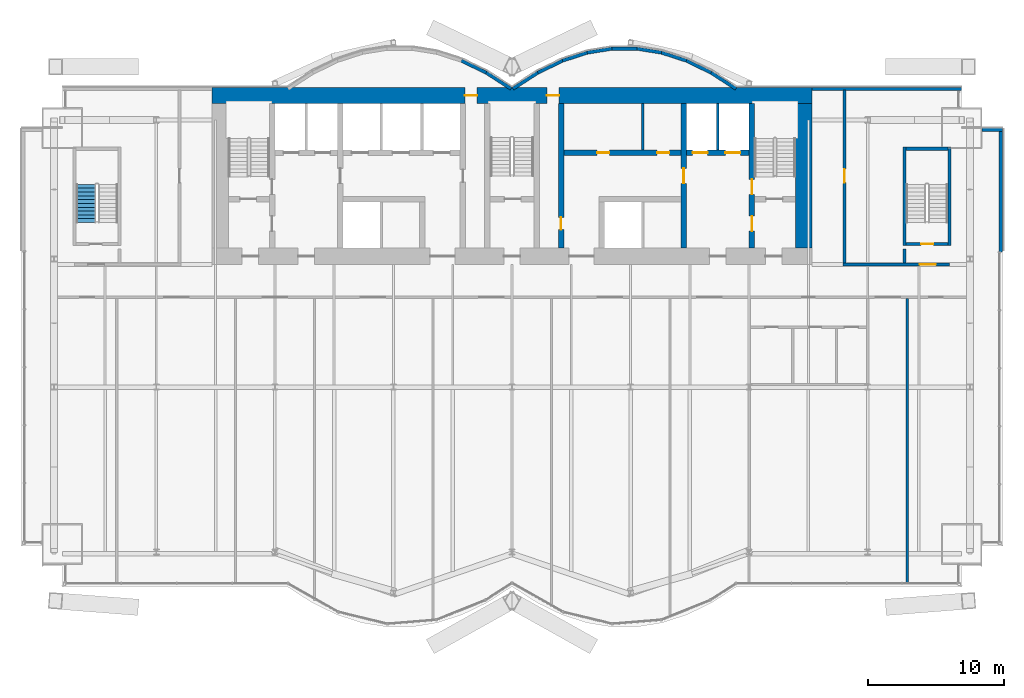
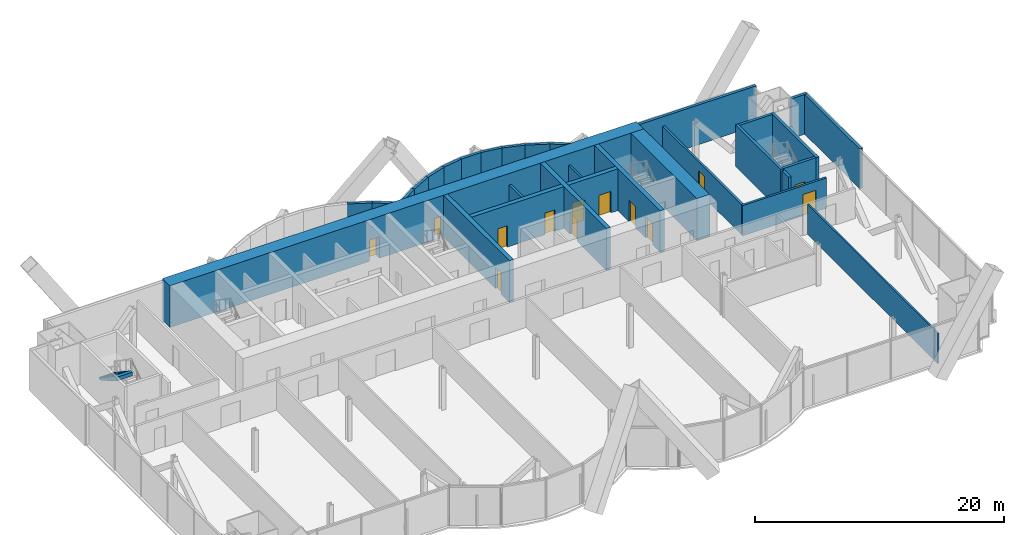
# One storey, part 17 of 21: 30 walls, 13 doors, 1 stair flight, 13 openings, 1 element without a shape of its own.
"""IFC4 building model written with IfcOpenShell, lengths in metres."""

from ifc_helpers import new_model, si_unit, direction, frame, frame_2d, origin, place, context, subcontext, project, spatial, polyline, rectangle, outline, extrude, material, layer, layer_set, layer_usage, type_object, element, fill, aggregate, save


model = new_model("IFC4")

# Units and contexts
model_context = context("Model", 3, precision=1e-05, world=origin(), true_north=direction((0.0, 1.0)))
body_context = subcontext(model_context, "Body", "Model", "MODEL_VIEW")
ifc_project = project(units=[si_unit("LENGTHUNIT", "METRE"), si_unit("AREAUNIT", "SQUARE_METRE"), si_unit("VOLUMEUNIT", "CUBIC_METRE"), si_unit("PLANEANGLEUNIT", "RADIAN"), si_unit("MASSUNIT", "GRAM", prefix="KILO")], contexts=[model_context])

# Site, building, storey
site_placement = place(None, origin())
site = spatial("IfcSite", under=ifc_project, at=site_placement, CompositionType="ELEMENT")
building_placement = place(site_placement, origin())
building = spatial("IfcBuilding", under=site, at=building_placement, Name="Bicima Exchange Tower", CompositionType="ELEMENT")
storey_placement = place(building_placement, frame((0.0, 0.0, 130.89990234375)))
storey = spatial("IfcBuildingStorey", under=building, at=storey_placement, Name="L28", CompositionType="ELEMENT", Elevation=130.89990234375)

# Wall
ifc_material_1 = material(Name="Gypsum board partition")
ifc_layer_1 = layer(ifc_material_1, 0.199951171875)
ifc_layer_set_1 = layer_set([ifc_layer_1], Name="Gypsum board partition")
wall_type_1 = type_object("IfcWallType", Name="Fire-rated gypsum partition 200 EI120", PredefinedType="PARTITIONING", material=ifc_layer_set_1)
wall_1_placement = place(storey_placement, frame((15.10009765625, -4.60009765625, 0.0), z_axis=(0.0, 0.0, 1.0), x_axis=(0.0, 1.0, 0.0)))
element("IfcWall", 1, at=wall_1_placement, inside=storey, type_object=wall_type_1, Name="partition wall 23", PredefinedType="PARTITIONING", context=body_context, shape_type="SweptSolid", body=[
    extrude(rectangle(XDim=3.400146484375, YDim=0.199951171875, at=frame_2d((1.7001953125, 0.0))), origin(), (0.0, 0.0, 1.0), 2.96826171875),
])

# Wall, opening, door
ifc_layer_2 = layer(ifc_material_1, 0.199951171875)
ifc_layer_set_2 = layer_set([ifc_layer_2], Name="Gypsum board partition")
wall_type_2 = type_object("IfcWallType", Name="Fire-rated gypsum partition 200 EI60", PredefinedType="PARTITIONING", material=ifc_layer_set_2)
wall_2_placement = place(storey_placement, frame((24.300048828125, -13.0, 0.0), z_axis=(0.0, 0.0, 1.0), x_axis=(1.0, 0.0, 0.0)))
wall_2 = element("IfcWall", 2, at=wall_2_placement, inside=storey, type_object=wall_type_2, Name="partition wall 5", PredefinedType="PARTITIONING", context=body_context, shape_type="SweptSolid", body=[
    extrude(rectangle(XDim=7.800048828125, YDim=0.199951171875, at=frame_2d((3.89990234375, 0.0))), origin(), (0.0, 0.0, 1.0), 2.96826171875),
])
opening_1_placement = place(wall_2_placement, frame((5.60009765625, 0.0, 0.0)))
opening_1 = element("IfcOpeningElement", 3, at=opening_1_placement, cuts=wall_2, Name="Opening L28-003", PredefinedType="OPENING", context=body_context, shape_type="SweptSolid", body=[
    extrude(rectangle(XDim=1.199951171875, YDim=2.10009765625, at=frame_2d((0.60009765625, 1.050048828125))), frame((0.0, 0.11181640625, 0.0), z_axis=(0.0, -1.0, 0.0), x_axis=(1.0, 0.0, 0.0)), (0.0, 0.0, 1.0), 0.223876953125),
])
ifc_material_2 = material(Name="Steel fire door leaf", Category="steel")
door_type_1 = type_object("IfcDoorType", Name="Door 1200 swing FD30S", OperationType="SINGLE_SWING_LEFT", PredefinedType="DOOR", material=ifc_material_2)
door_1_placement = place(opening_1_placement, origin())
door_1 = element("IfcDoor", 4, at=door_1_placement, inside=storey, type_object=door_type_1, Name="Door", OperationType="SINGLE_SWING_RIGHT", OverallHeight=2.10009765625, OverallWidth=1.199951171875, PredefinedType="DOOR", context=body_context, shape_type="SweptSolid", body=[
    extrude(rectangle(XDim=1.199951171875, YDim=2.10009765625, at=frame_2d((0.60009765625, 1.050048828125))), frame((0.0, 0.02490234375, 0.0), z_axis=(0.0, -1.0, 0.0), x_axis=(1.0, 0.0, 0.0)), (0.0, 0.0, 1.0), 0.050048828125),
])
fill(opening_1, door_1)

wall_3_placement = place(storey_placement, frame((24.39990234375, -12.89990234375, 0.0), z_axis=(0.0, 0.0, 1.0), x_axis=(0.0, 1.0, 0.0)))
wall_3 = element("IfcWall", 5, at=wall_3_placement, inside=storey, type_object=wall_type_2, Name="partition wall 27", PredefinedType="PARTITIONING", context=body_context, shape_type="SweptSolid", body=[
    extrude(rectangle(XDim=12.68994140625, YDim=0.199951171875, at=frame_2d((6.344970703125, 0.0))), origin(), (0.0, 0.0, 1.0), 2.96826171875),
])
opening_2_placement = place(wall_3_placement, frame((5.89990234375, 0.0, 0.0)))
opening_2 = element("IfcOpeningElement", 6, at=opening_2_placement, cuts=wall_3, Name="Opening L28-006", PredefinedType="OPENING", context=body_context, shape_type="SweptSolid", body=[
    extrude(rectangle(XDim=1.0, YDim=2.10009765625, at=frame_2d((0.5, 1.050048828125))), frame((0.0, 0.11181640625, 0.0), z_axis=(0.0, -1.0, 0.0), x_axis=(1.0, 0.0, 0.0)), (0.0, 0.0, 1.0), 0.223876953125),
])
door_type_2 = type_object("IfcDoorType", Name="Door 1000 swing FD30S", OperationType="SINGLE_SWING_LEFT", PredefinedType="DOOR", material=ifc_material_2)
door_2_placement = place(opening_2_placement, frame((1.0, 0.0, 0.0), z_axis=(0.0, 0.0, 1.0), x_axis=(-1.0, 0.0, 0.0)))
door_2 = element("IfcDoor", 7, at=door_2_placement, inside=storey, type_object=door_type_2, Name="Door", OperationType="SINGLE_SWING_RIGHT", OverallHeight=2.10009765625, OverallWidth=1.0, PredefinedType="DOOR", context=body_context, shape_type="SweptSolid", body=[
    extrude(rectangle(XDim=1.0, YDim=2.10009765625, at=frame_2d((0.5, 1.050048828125))), frame((0.0, 0.02490234375, 0.0), z_axis=(0.0, -1.0, 0.0), x_axis=(1.0, 0.0, 0.0)), (0.0, 0.0, 1.0), 0.050048828125),
])
fill(opening_2, door_2)

# Walls
wall_4_placement = place(storey_placement, frame((9.60009765625, -4.60009765625, 0.0), z_axis=(0.0, 0.0, 1.0), x_axis=(0.0, 1.0, 0.0)))
element("IfcWall", 8, at=wall_4_placement, inside=storey, type_object=wall_type_2, Name="partition wall 21", PredefinedType="PARTITIONING", context=body_context, shape_type="SweptSolid", body=[
    extrude(rectangle(XDim=3.400146484375, YDim=0.199951171875, at=frame_2d((1.7001953125, 0.0))), origin(), (0.0, 0.0, 1.0), 2.96826171875),
])
ifc_layer_3 = layer(ifc_material_1, 0.14990234375)
ifc_layer_set_3 = layer_set([ifc_layer_3], Name="Gypsum board partition")
wall_type_3 = type_object("IfcWallType", Name="Gypsum partition 150", PredefinedType="PARTITIONING", material=ifc_layer_set_3)
wall_5_placement = place(storey_placement, frame((29.0, -36.419921875, 0.0), z_axis=(0.0, 0.0, 1.0), x_axis=(0.0, 1.0, 0.0)))
element("IfcWall", 9, at=wall_5_placement, inside=storey, type_object=wall_type_3, Name="partition wall 30", PredefinedType="PARTITIONING", context=body_context, shape_type="SweptSolid", body=[
    extrude(rectangle(XDim=20.919921875, YDim=0.14990234375, at=frame_2d((10.4599609375, 0.0))), origin(), (0.0, 0.0, 1.0), 2.96826171875),
])

# Wall, openings, doors
ifc_material_3 = material(Name="Concrete C60/75", Category="concrete")
ifc_layer_4 = layer(ifc_material_3, 1.199951171875)
ifc_layer_set_4 = layer_set([ifc_layer_4], Name="Concrete C60/75")
wall_type_4 = type_object("IfcWallType", Name="RC core wall 1200 C60/75", PredefinedType="SHEAR", material=ifc_layer_set_4)
wall_6_placement = place(storey_placement, frame((-22.0, -0.60009765625, 0.0), z_axis=(0.0, 0.0, 1.0), x_axis=(1.0, 0.0, 0.0)))
wall_6 = element("IfcWall", 10, at=wall_6_placement, inside=storey, type_object=wall_type_4, Name="Core wall north", PredefinedType="SHEAR", context=body_context, shape_type="SweptSolid", body=[
    extrude(rectangle(XDim=44.0, YDim=1.199951171875, at=frame_2d((22.0, 0.0))), origin(), (0.0, 0.0, 1.0), 4.10009765625),
])
opening_3_placement = place(wall_6_placement, frame((18.550048828125, 0.0, 0.0)))
opening_3 = element("IfcOpeningElement", 11, at=opening_3_placement, cuts=wall_6, Name="Opening L28-C14", PredefinedType="OPENING", context=body_context, shape_type="SweptSolid", body=[
    extrude(rectangle(XDim=0.89990234375, YDim=2.10009765625, at=frame_2d((0.449951171875, 1.050048828125))), frame((0.0, 0.61181640625, 0.0), z_axis=(0.0, -1.0, 0.0), x_axis=(1.0, 0.0, 0.0)), (0.0, 0.0, 1.0), 1.223876953125),
])
opening_4_placement = place(wall_6_placement, frame((24.550048828125, 0.0, 0.0)))
opening_4 = element("IfcOpeningElement", 12, at=opening_4_placement, cuts=wall_6, Name="Opening L28-C15", PredefinedType="OPENING", context=body_context, shape_type="SweptSolid", body=[
    extrude(rectangle(XDim=0.89990234375, YDim=2.10009765625, at=frame_2d((0.449951171875, 1.050048828125))), frame((0.0, 0.61181640625, 0.0), z_axis=(0.0, -1.0, 0.0), x_axis=(1.0, 0.0, 0.0)), (0.0, 0.0, 1.0), 1.223876953125),
])
door_type_3 = type_object("IfcDoorType", Name="Door 900 swing FD30S", OperationType="SINGLE_SWING_LEFT", PredefinedType="DOOR", material=ifc_material_2)
door_3_placement = place(opening_3_placement, origin())
door_3 = element("IfcDoor", 13, at=door_3_placement, inside=storey, type_object=door_type_3, Name="Core door", OperationType="SINGLE_SWING_LEFT", OverallHeight=2.10009765625, OverallWidth=0.89990234375, PredefinedType="DOOR", context=body_context, shape_type="SweptSolid", body=[
    extrude(rectangle(XDim=0.89990234375, YDim=2.10009765625, at=frame_2d((0.449951171875, 1.050048828125))), frame((0.0, 0.02490234375, 0.0), z_axis=(0.0, -1.0, 0.0), x_axis=(1.0, 0.0, 0.0)), (0.0, 0.0, 1.0), 0.050048828125),
])
fill(opening_3, door_3)
door_4_placement = place(opening_4_placement, origin())
door_4 = element("IfcDoor", 14, at=door_4_placement, inside=storey, type_object=door_type_3, Name="Core door", OperationType="SINGLE_SWING_LEFT", OverallHeight=2.10009765625, OverallWidth=0.89990234375, PredefinedType="DOOR", context=body_context, shape_type="SweptSolid", body=[
    extrude(rectangle(XDim=0.89990234375, YDim=2.10009765625, at=frame_2d((0.449951171875, 1.050048828125))), frame((0.0, 0.02490234375, 0.0), z_axis=(0.0, -1.0, 0.0), x_axis=(1.0, 0.0, 0.0)), (0.0, 0.0, 1.0), 0.050048828125),
])
fill(opening_4, door_4)

# Walls
wall_7_placement = place(storey_placement, frame((21.39990234375, -11.800048828125, 0.0), z_axis=(0.0, 0.0, 1.0), x_axis=(0.0, 1.0, 0.0)))
element("IfcWall", 15, at=wall_7_placement, inside=storey, type_object=wall_type_4, Name="Core wall east", PredefinedType="SHEAR", context=body_context, shape_type="SweptSolid", body=[
    extrude(rectangle(XDim=10.60009765625, YDim=1.199951171875, at=frame_2d((5.300048828125, 0.0))), origin(), (0.0, 0.0, 1.0), 4.10009765625),
])
ifc_material_4 = material(Name="Concrete C50/60", Category="concrete")
ifc_layer_5 = layer(ifc_material_4, 0.25)
ifc_layer_set_5 = layer_set([ifc_layer_5], Name="Concrete C50/60")
wall_type_5 = type_object("IfcWallType", Name="RC core wall 250 C50/60", PredefinedType="SHEAR", material=ifc_layer_set_5)
wall_8_placement = place(storey_placement, frame((28.800048828125, -12.89990234375, 0.0), z_axis=(0.0, 0.0, 1.0), x_axis=(0.0, 1.0, 0.0)))
element("IfcWall", 16, at=wall_8_placement, inside=storey, type_object=wall_type_5, Name="stair wall 29", PredefinedType="SHEAR", context=body_context, shape_type="SweptSolid", body=[
    extrude(rectangle(XDim=1.0498046875, YDim=0.25, at=frame_2d((0.52490234375, 0.0))), origin(), (0.0, 0.0, 1.0), 4.10009765625),
])

# Wall, openings, doors
ifc_layer_6 = layer(ifc_material_4, 0.39990234375)
ifc_layer_set_6 = layer_set([ifc_layer_6], Name="Concrete C50/60")
wall_type_6 = type_object("IfcWallType", Name="RC core wall 400 C50/60", PredefinedType="SHEAR", material=ifc_layer_set_6)
wall_9_placement = place(storey_placement, frame((17.60009765625, -11.800048828125, 0.0), z_axis=(0.0, 0.0, 1.0), x_axis=(0.0, 1.0, 0.0)))
wall_9 = element("IfcWall", 17, at=wall_9_placement, inside=storey, type_object=wall_type_6, Name="stair wall 24", PredefinedType="SHEAR", context=body_context, shape_type="SweptSolid", body=[
    extrude(rectangle(XDim=10.60009765625, YDim=0.39990234375, at=frame_2d((5.300048828125, 0.0))), origin(), (0.0, 0.0, 1.0), 4.10009765625),
])
opening_5_placement = place(wall_9_placement, frame((1.25, 0.0, 0.0)))
opening_5 = element("IfcOpeningElement", 18, at=opening_5_placement, cuts=wall_9, Name="Opening L28-C05", PredefinedType="OPENING", context=body_context, shape_type="SweptSolid", body=[
    extrude(rectangle(XDim=1.10009765625, YDim=2.10009765625, at=frame_2d((0.550048828125, 1.050048828125))), frame((0.0, 0.2119140625, 0.0), z_axis=(0.0, -1.0, 0.0), x_axis=(1.0, 0.0, 0.0)), (0.0, 0.0, 1.0), 0.423828125),
])
opening_6_placement = place(wall_9_placement, frame((3.949951171875, 0.0, 0.0)))
opening_6 = element("IfcOpeningElement", 19, at=opening_6_placement, cuts=wall_9, Name="Opening L28-C08", PredefinedType="OPENING", context=body_context, shape_type="SweptSolid", body=[
    extrude(rectangle(XDim=1.10009765625, YDim=2.10009765625, at=frame_2d((0.550048828125, 1.050048828125))), frame((0.0, 0.2119140625, 0.0), z_axis=(0.0, -1.0, 0.0), x_axis=(1.0, 0.0, 0.0)), (0.0, 0.0, 1.0), 0.423828125),
])
door_type_4 = type_object("IfcDoorType", Name="Door 1100 swing FD60S", OperationType="SINGLE_SWING_LEFT", PredefinedType="DOOR", material=ifc_material_2)
door_5_placement = place(opening_5_placement, origin())
door_5 = element("IfcDoor", 20, at=door_5_placement, inside=storey, type_object=door_type_4, Name="Core door", OperationType="SINGLE_SWING_LEFT", OverallHeight=2.10009765625, OverallWidth=1.10009765625, PredefinedType="DOOR", context=body_context, shape_type="SweptSolid", body=[
    extrude(rectangle(XDim=1.10009765625, YDim=2.10009765625, at=frame_2d((0.550048828125, 1.050048828125))), frame((0.0, 0.02490234375, 0.0), z_axis=(0.0, -1.0, 0.0), x_axis=(1.0, 0.0, 0.0)), (0.0, 0.0, 1.0), 0.050048828125),
])
fill(opening_5, door_5)
door_6_placement = place(opening_6_placement, origin())
door_6 = element("IfcDoor", 21, at=door_6_placement, inside=storey, type_object=door_type_4, Name="Core door", OperationType="SINGLE_SWING_RIGHT", OverallHeight=2.10009765625, OverallWidth=1.10009765625, PredefinedType="DOOR", context=body_context, shape_type="SweptSolid", body=[
    extrude(rectangle(XDim=1.10009765625, YDim=2.10009765625, at=frame_2d((0.550048828125, 1.050048828125))), frame((0.0, 0.02490234375, 0.0), z_axis=(0.0, -1.0, 0.0), x_axis=(1.0, 0.0, 0.0)), (0.0, 0.0, 1.0), 0.050048828125),
])
fill(opening_6, door_6)

ifc_layer_7 = layer(ifc_material_3, 0.39990234375)
ifc_layer_set_7 = layer_set([ifc_layer_7], Name="Concrete C60/75")
wall_type_7 = type_object("IfcWallType", Name="RC core wall 400 C60/75", PredefinedType="SHEAR", material=ifc_layer_set_7)
wall_10_placement = place(storey_placement, frame((3.800048828125, -4.800048828125, 0.0), z_axis=(0.0, 0.0, 1.0), x_axis=(1.0, 0.0, 0.0)))
wall_10 = element("IfcWall", 22, at=wall_10_placement, inside=storey, type_object=wall_type_7, Name="shear wall 7", PredefinedType="SHEAR", context=body_context, shape_type="SweptSolid", body=[
    extrude(rectangle(XDim=13.599853515625, YDim=0.39990234375, at=frame_2d((6.7998046875, 0.0))), origin(), (0.0, 0.0, 1.0), 4.10009765625),
])
opening_7_placement = place(wall_10_placement, frame((9.449951171875, 0.0, 0.0)))
opening_7 = element("IfcOpeningElement", 23, at=opening_7_placement, cuts=wall_10, Name="Opening LD-FF2-L28", PredefinedType="OPENING", context=body_context, shape_type="SweptSolid", body=[
    extrude(rectangle(XDim=1.10009765625, YDim=2.10009765625, at=frame_2d((0.550048828125, 1.050048828125))), frame((0.0, 0.2119140625, 0.0), z_axis=(0.0, -1.0, 0.0), x_axis=(1.0, 0.0, 0.0)), (0.0, 0.0, 1.0), 0.423828125),
])
opening_8_placement = place(wall_10_placement, frame((11.85009765625, 0.0, 0.0)))
opening_8 = element("IfcOpeningElement", 24, at=opening_8_placement, cuts=wall_10, Name="Opening LD-SV1-L28", PredefinedType="OPENING", context=body_context, shape_type="SweptSolid", body=[
    extrude(rectangle(XDim=1.10009765625, YDim=2.10009765625, at=frame_2d((0.550048828125, 1.050048828125))), frame((0.0, 0.2119140625, 0.0), z_axis=(0.0, -1.0, 0.0), x_axis=(1.0, 0.0, 0.0)), (0.0, 0.0, 1.0), 0.423828125),
])
opening_9_placement = place(wall_10_placement, frame((2.449951171875, 0.0, 0.0)))
opening_9 = element("IfcOpeningElement", 25, at=opening_9_placement, cuts=wall_10, Name="Opening L28-C12", PredefinedType="OPENING", context=body_context, shape_type="SweptSolid", body=[
    extrude(rectangle(XDim=0.89990234375, YDim=2.10009765625, at=frame_2d((0.449951171875, 1.050048828125))), frame((0.0, 0.2119140625, 0.0), z_axis=(0.0, -1.0, 0.0), x_axis=(1.0, 0.0, 0.0)), (0.0, 0.0, 1.0), 0.423828125),
])
opening_10_placement = place(wall_10_placement, frame((6.85009765625, 0.0, 0.0)))
opening_10 = element("IfcOpeningElement", 26, at=opening_10_placement, cuts=wall_10, Name="Opening L28-C13", PredefinedType="OPENING", context=body_context, shape_type="SweptSolid", body=[
    extrude(rectangle(XDim=0.89990234375, YDim=2.10009765625, at=frame_2d((0.449951171875, 1.050048828125))), frame((0.0, 0.2119140625, 0.0), z_axis=(0.0, -1.0, 0.0), x_axis=(1.0, 0.0, 0.0)), (0.0, 0.0, 1.0), 0.423828125),
])
door_7_placement = place(opening_9_placement, origin())
door_7 = element("IfcDoor", 27, at=door_7_placement, inside=storey, type_object=door_type_3, Name="Core door", OperationType="SINGLE_SWING_RIGHT", OverallHeight=2.10009765625, OverallWidth=0.89990234375, PredefinedType="DOOR", context=body_context, shape_type="SweptSolid", body=[
    extrude(rectangle(XDim=0.89990234375, YDim=2.10009765625, at=frame_2d((0.449951171875, 1.050048828125))), frame((0.0, 0.02490234375, 0.0), z_axis=(0.0, -1.0, 0.0), x_axis=(1.0, 0.0, 0.0)), (0.0, 0.0, 1.0), 0.050048828125),
])
fill(opening_9, door_7)
door_8_placement = place(opening_10_placement, origin())
door_8 = element("IfcDoor", 28, at=door_8_placement, inside=storey, type_object=door_type_3, Name="Core door", OperationType="SINGLE_SWING_LEFT", OverallHeight=2.10009765625, OverallWidth=0.89990234375, PredefinedType="DOOR", context=body_context, shape_type="SweptSolid", body=[
    extrude(rectangle(XDim=0.89990234375, YDim=2.10009765625, at=frame_2d((0.449951171875, 1.050048828125))), frame((0.0, 0.02490234375, 0.0), z_axis=(0.0, -1.0, 0.0), x_axis=(1.0, 0.0, 0.0)), (0.0, 0.0, 1.0), 0.050048828125),
])
fill(opening_10, door_8)
ifc_material_5 = material(Name="Stainless steel", Category="steel")
door_type_5 = type_object("IfcDoorType", Name="Lift landing door 1100 sliding", OperationType="DOUBLE_DOOR_SLIDING", PredefinedType="DOOR", material=ifc_material_5)
door_9_placement = place(opening_7_placement, origin())
door_9 = element("IfcDoor", 29, at=door_9_placement, inside=storey, type_object=door_type_5, Name="Lift landing door FF2", OperationType="DOUBLE_DOOR_SLIDING", OverallHeight=2.10009765625, OverallWidth=1.10009765625, PredefinedType="DOOR", context=body_context, shape_type="SweptSolid", body=[
    extrude(rectangle(XDim=1.10009765625, YDim=2.10009765625, at=frame_2d((0.550048828125, 1.050048828125))), frame((0.0, 0.02490234375, 0.0), z_axis=(0.0, -1.0, 0.0), x_axis=(1.0, 0.0, 0.0)), (0.0, 0.0, 1.0), 0.050048828125),
])
fill(opening_7, door_9)
door_10_placement = place(opening_8_placement, origin())
door_10 = element("IfcDoor", 30, at=door_10_placement, inside=storey, type_object=door_type_5, Name="Lift landing door SV1", OperationType="DOUBLE_DOOR_SLIDING", OverallHeight=2.10009765625, OverallWidth=1.10009765625, PredefinedType="DOOR", context=body_context, shape_type="SweptSolid", body=[
    extrude(rectangle(XDim=1.10009765625, YDim=2.10009765625, at=frame_2d((0.550048828125, 1.050048828125))), frame((0.0, 0.02490234375, 0.0), z_axis=(0.0, -1.0, 0.0), x_axis=(1.0, 0.0, 0.0)), (0.0, 0.0, 1.0), 0.050048828125),
])
fill(opening_8, door_10)

# Wall, opening, door
wall_11_placement = place(storey_placement, frame((3.60009765625, -11.800048828125, 0.0), z_axis=(0.0, 0.0, 1.0), x_axis=(0.0, 1.0, 0.0)))
wall_11 = element("IfcWall", 31, at=wall_11_placement, inside=storey, type_object=wall_type_7, Name="shear wall 18", PredefinedType="SHEAR", context=body_context, shape_type="SweptSolid", body=[
    extrude(rectangle(XDim=10.60009765625, YDim=0.39990234375, at=frame_2d((5.300048828125, 0.0))), origin(), (0.0, 0.0, 1.0), 4.10009765625),
])
opening_11_placement = place(wall_11_placement, frame((1.35009765625, 0.0, 0.0)))
opening_11 = element("IfcOpeningElement", 32, at=opening_11_placement, cuts=wall_11, Name="Opening L28-C11", PredefinedType="OPENING", context=body_context, shape_type="SweptSolid", body=[
    extrude(rectangle(XDim=0.89990234375, YDim=2.10009765625, at=frame_2d((0.449951171875, 1.050048828125))), frame((0.0, 0.2119140625, 0.0), z_axis=(0.0, -1.0, 0.0), x_axis=(1.0, 0.0, 0.0)), (0.0, 0.0, 1.0), 0.423828125),
])
door_11_placement = place(opening_11_placement, origin())
door_11 = element("IfcDoor", 33, at=door_11_placement, inside=storey, type_object=door_type_3, Name="Core door", OperationType="SINGLE_SWING_LEFT", OverallHeight=2.10009765625, OverallWidth=0.89990234375, PredefinedType="DOOR", context=body_context, shape_type="SweptSolid", body=[
    extrude(rectangle(XDim=0.89990234375, YDim=2.10009765625, at=frame_2d((0.449951171875, 1.050048828125))), frame((0.0, 0.02490234375, 0.0), z_axis=(0.0, -1.0, 0.0), x_axis=(1.0, 0.0, 0.0)), (0.0, 0.0, 1.0), 0.050048828125),
])
fill(opening_11, door_11)

wall_12_placement = place(storey_placement, frame((12.60009765625, -11.800048828125, 0.0), z_axis=(0.0, 0.0, 1.0), x_axis=(0.0, 1.0, 0.0)))
wall_12 = element("IfcWall", 34, at=wall_12_placement, inside=storey, type_object=wall_type_7, Name="shear wall 22", PredefinedType="SHEAR", context=body_context, shape_type="SweptSolid", body=[
    extrude(rectangle(XDim=10.60009765625, YDim=0.39990234375, at=frame_2d((5.300048828125, 0.0))), origin(), (0.0, 0.0, 1.0), 4.10009765625),
])
opening_12_placement = place(wall_12_placement, frame((4.75, 0.0, 0.0)))
opening_12 = element("IfcOpeningElement", 35, at=opening_12_placement, cuts=wall_12, Name="Opening L28-C09", PredefinedType="OPENING", context=body_context, shape_type="SweptSolid", body=[
    extrude(rectangle(XDim=1.10009765625, YDim=2.10009765625, at=frame_2d((0.550048828125, 1.050048828125))), frame((0.0, 0.2119140625, 0.0), z_axis=(0.0, -1.0, 0.0), x_axis=(1.0, 0.0, 0.0)), (0.0, 0.0, 1.0), 0.423828125),
])
door_12_placement = place(opening_12_placement, frame((1.10009765625, 0.0, 0.0), z_axis=(0.0, 0.0, 1.0), x_axis=(-1.0, 0.0, 0.0)))
door_12 = element("IfcDoor", 36, at=door_12_placement, inside=storey, type_object=door_type_4, Name="Core door", OperationType="SINGLE_SWING_RIGHT", OverallHeight=2.10009765625, OverallWidth=1.10009765625, PredefinedType="DOOR", context=body_context, shape_type="SweptSolid", body=[
    extrude(rectangle(XDim=1.10009765625, YDim=2.10009765625, at=frame_2d((0.550048828125, 1.050048828125))), frame((0.0, 0.02490234375, 0.0), z_axis=(0.0, -1.0, 0.0), x_axis=(1.0, 0.0, 0.0)), (0.0, 0.0, 1.0), 0.050048828125),
])
fill(opening_12, door_12)

# Walls
ifc_layer_8 = layer(ifc_material_4, 0.25)
ifc_layer_set_8 = layer_set([ifc_layer_8], Name="Concrete C50/60")
wall_type_8 = type_object("IfcWallType", Name="RC stair enclosure wall 250 C50/60", PredefinedType="SHEAR", material=ifc_layer_set_8)
for number, where, z_axis, x_axis, name in (
    (37, (28.800048828125, -11.625, 0.0), (0.0, 0.0, 1.0), (0.0, 1.0, 0.0), "East end exit stair wall W"),
    (38, (32.10009765625, -11.625, 0.0), (0.0, 0.0, 1.0), (0.0, 1.0, 0.0), "East end exit stair wall E"),
):
    element("IfcWall", number, at=place(storey_placement, frame(where, z_axis=z_axis, x_axis=x_axis)), inside=storey, type_object=wall_type_8, Name=name, PredefinedType="SHEAR", context=body_context, shape_type="SweptSolid", body=[
        extrude(rectangle(XDim=7.25, YDim=0.25, at=frame_2d((3.625, 0.0))), origin(), (0.0, 0.0, 1.0), 4.10009765625),
    ])

# Wall, opening, door
wall_13_placement = place(storey_placement, frame((28.925048828125, -11.5, 0.0), z_axis=(0.0, 0.0, 1.0), x_axis=(1.0, 0.0, 0.0)))
wall_13 = element("IfcWall", 39, at=wall_13_placement, inside=storey, type_object=wall_type_8, Name="East end exit stair wall S", PredefinedType="SHEAR", context=body_context, shape_type="SweptSolid", body=[
    extrude(rectangle(XDim=3.050048828125, YDim=0.25, at=frame_2d((1.52490234375, 0.0))), origin(), (0.0, 0.0, 1.0), 4.10009765625),
])
opening_13_placement = place(wall_13_placement, frame((1.10009765625, 0.0, 0.0)))
opening_13 = element("IfcOpeningElement", 40, at=opening_13_placement, cuts=wall_13, Name="Opening L28-004", PredefinedType="OPENING", context=body_context, shape_type="SweptSolid", body=[
    extrude(rectangle(XDim=0.89990234375, YDim=2.10009765625, at=frame_2d((0.449951171875, 1.050048828125))), frame((0.0, 0.136962890625, 0.0), z_axis=(0.0, -1.0, 0.0), x_axis=(1.0, 0.0, 0.0)), (0.0, 0.0, 1.0), 0.27392578125),
])
door_type_6 = type_object("IfcDoorType", Name="Door 900 swing FD60S", OperationType="SINGLE_SWING_LEFT", PredefinedType="DOOR", material=ifc_material_2)
door_13_placement = place(opening_13_placement, origin())
door_13 = element("IfcDoor", 41, at=door_13_placement, inside=storey, type_object=door_type_6, Name="Door", OperationType="SINGLE_SWING_LEFT", OverallHeight=2.10009765625, OverallWidth=0.89990234375, PredefinedType="DOOR", context=body_context, shape_type="SweptSolid", body=[
    extrude(rectangle(XDim=0.89990234375, YDim=2.10009765625, at=frame_2d((0.449951171875, 1.050048828125))), frame((0.0, 0.02490234375, 0.0), z_axis=(0.0, -1.0, 0.0), x_axis=(1.0, 0.0, 0.0)), (0.0, 0.0, 1.0), 0.050048828125),
])
fill(opening_13, door_13)

# Walls
wall_14_placement = place(storey_placement, frame((28.925048828125, -4.5, 0.0), z_axis=(0.0, 0.0, 1.0), x_axis=(1.0, 0.0, 0.0)))
element("IfcWall", 42, at=wall_14_placement, inside=storey, type_object=wall_type_8, Name="East end exit stair wall N", PredefinedType="SHEAR", context=body_context, shape_type="SweptSolid", body=[
    extrude(rectangle(XDim=3.050048828125, YDim=0.25, at=frame_2d((1.52490234375, 0.0))), origin(), (0.0, 0.0, 1.0), 4.10009765625),
])
ifc_material_6 = material(Name="Concrete C40/50", Category="concrete")
ifc_layer_9 = layer(ifc_material_6, 0.25)
ifc_layer_set_9 = layer_set([ifc_layer_9], Name="Concrete C40/50")
ifc_layer_usage = layer_usage(ifc_layer_set_9, "AXIS2", "POSITIVE", -0.125)
wall_type_9 = type_object("IfcWallType", Name="Rear backup wall 250", PredefinedType="STANDARD", material=ifc_layer_set_9)
wall_15_placement = place(storey_placement, frame((33.0, -0.125, 0.0), z_axis=(0.0, 0.0, 1.0), x_axis=(-1.0, 0.0, 0.0)))
element("IfcWall", 43, at=wall_15_placement, inside=storey, type_object=wall_type_9, material=ifc_layer_usage, Name="Rear backup wall L28 1", PredefinedType="STANDARD", context=body_context, shape_type="SweptSolid", body=[
    extrude(rectangle(XDim=11.0, YDim=0.25, at=frame_2d((5.5, 0.0))), origin(), (0.0, 0.0, 1.0), 3.900146484375),
])
wall_16_placement = place(storey_placement, frame((16.43212890625, -0.10498046875, 0.0), z_axis=(0.0, 0.0, 1.0), x_axis=(-0.83981312244, 0.542875602121, 0.0)))
element("IfcWall", 44, at=wall_16_placement, inside=storey, type_object=wall_type_9, material=ifc_layer_usage, Name="Rear backup wall L28 2", PredefinedType="STANDARD", context=body_context, shape_type="SweptSolid", body=[
    extrude(rectangle(XDim=2.182861328125, YDim=0.25, at=frame_2d((1.09130859375, 0.0))), origin(), (0.0, 0.0, 1.0), 3.900146484375),
])
wall_17_placement = place(storey_placement, frame((14.6123046875, 1.07275390625, 0.0), z_axis=(0.0, 0.0, 1.0), x_axis=(-0.89982408427, 0.436252928206, 0.0)))
element("IfcWall", 45, at=wall_17_placement, inside=storey, type_object=wall_type_9, material=ifc_layer_usage, Name="Rear backup wall L28 3", PredefinedType="STANDARD", context=body_context, shape_type="SweptSolid", body=[
    extrude(rectangle(XDim=2.03759765625, YDim=0.25, at=frame_2d((1.018798828125, 0.0))), origin(), (0.0, 0.0, 1.0), 3.900146484375),
])
wall_18_placement = place(storey_placement, frame((12.794921875, 1.955078125, 0.0), z_axis=(0.0, 0.0, 1.0), x_axis=(-0.951495806175, 0.307661714928, 0.0)))
element("IfcWall", 46, at=wall_18_placement, inside=storey, type_object=wall_type_9, material=ifc_layer_usage, Name="Rear backup wall L28 4", PredefinedType="STANDARD", context=body_context, shape_type="SweptSolid", body=[
    extrude(rectangle(XDim=1.9267578125, YDim=0.25, at=frame_2d((0.96337890625, 0.0))), origin(), (0.0, 0.0, 1.0), 3.900146484375),
])
wall_19_placement = place(storey_placement, frame((10.97998046875, 2.543212890625, 0.0), z_axis=(0.0, 0.0, 1.0), x_axis=(-0.987181718931, 0.159600293885, 0.0)))
element("IfcWall", 47, at=wall_19_placement, inside=storey, type_object=wall_type_9, material=ifc_layer_usage, Name="Rear backup wall L28 5", PredefinedType="STANDARD", context=body_context, shape_type="SweptSolid", body=[
    extrude(rectangle(XDim=1.857177734375, YDim=0.25, at=frame_2d((0.9287109375, 0.0))), origin(), (0.0, 0.0, 1.0), 3.900146484375),
])
wall_20_placement = place(storey_placement, frame((9.166748046875, 2.837890625, 0.0), z_axis=(0.0, 0.0, 1.0), x_axis=(-1.0, 0.0, 0.0)))
element("IfcWall", 48, at=wall_20_placement, inside=storey, type_object=wall_type_9, material=ifc_layer_usage, Name="Rear backup wall L28 6", PredefinedType="STANDARD", context=body_context, shape_type="SweptSolid", body=[
    extrude(rectangle(XDim=1.83349609375, YDim=0.25, at=frame_2d((0.916748046875, 0.0))), origin(), (0.0, 0.0, 1.0), 3.900146484375),
])
wall_21_placement = place(storey_placement, frame((7.353271484375, 2.839599609375, 0.0), z_axis=(0.0, 0.0, 1.0), x_axis=(-0.987181718931, -0.159600293885, 0.0)))
element("IfcWall", 49, at=wall_21_placement, inside=storey, type_object=wall_type_9, material=ifc_layer_usage, Name="Rear backup wall L28 7", PredefinedType="STANDARD", context=body_context, shape_type="SweptSolid", body=[
    extrude(rectangle(XDim=1.857177734375, YDim=0.25, at=frame_2d((0.9287109375, 0.0))), origin(), (0.0, 0.0, 1.0), 3.900146484375),
])
wall_22_placement = place(storey_placement, frame((5.538330078125, 2.5478515625, 0.0), z_axis=(0.0, 0.0, 1.0), x_axis=(-0.951495806175, -0.307661714928, 0.0)))
element("IfcWall", 50, at=wall_22_placement, inside=storey, type_object=wall_type_9, material=ifc_layer_usage, Name="Rear backup wall L28 8", PredefinedType="STANDARD", context=body_context, shape_type="SweptSolid", body=[
    extrude(rectangle(XDim=1.9267578125, YDim=0.25, at=frame_2d((0.96337890625, 0.0))), origin(), (0.0, 0.0, 1.0), 3.900146484375),
])
wall_23_placement = place(storey_placement, frame((3.72119140625, 1.961669921875, 0.0), z_axis=(0.0, 0.0, 1.0), x_axis=(-0.89982408427, -0.436252928206, 0.0)))
element("IfcWall", 51, at=wall_23_placement, inside=storey, type_object=wall_type_9, material=ifc_layer_usage, Name="Rear backup wall L28 9", PredefinedType="STANDARD", context=body_context, shape_type="SweptSolid", body=[
    extrude(rectangle(XDim=2.03759765625, YDim=0.25, at=frame_2d((1.018798828125, 0.0))), origin(), (0.0, 0.0, 1.0), 3.900146484375),
])
for number, where, z_axis, x_axis, name in (
    (52, (1.901123046875, 1.080078125, 0.0), (0.0, 0.0, 1.0), (-0.83981312244, -0.542875602121, 0.0), "Rear backup wall L28 10"),
    (53, (-0.06787109375, -0.10498046875, 0.0), (0.0, 0.0, 1.0), (-0.83981312244, 0.542875602121, 0.0), "Rear backup wall L28 11"),
):
    element("IfcWall", number, at=place(storey_placement, frame(where, z_axis=z_axis, x_axis=x_axis)), inside=storey, type_object=wall_type_9, material=ifc_layer_usage, Name=name, PredefinedType="STANDARD", context=body_context, shape_type="SweptSolid", body=[
        extrude(rectangle(XDim=2.182861328125, YDim=0.25, at=frame_2d((1.09130859375, 0.0))), origin(), (0.0, 0.0, 1.0), 3.900146484375),
    ])
wall_24_placement = place(storey_placement, frame((-1.8876953125, 1.07275390625, 0.0), z_axis=(0.0, 0.0, 1.0), x_axis=(-0.89982408427, 0.436252928206, 0.0)))
element("IfcWall", 54, at=wall_24_placement, inside=storey, type_object=wall_type_9, material=ifc_layer_usage, Name="Rear backup wall L28 12", PredefinedType="STANDARD", context=body_context, shape_type="SweptSolid", body=[
    extrude(rectangle(XDim=2.03759765625, YDim=0.25, at=frame_2d((1.018798828125, 0.0))), origin(), (0.0, 0.0, 1.0), 3.900146484375),
])
wall_25_placement = place(storey_placement, frame((35.875, -12.090087890625, 0.0), z_axis=(0.0, 0.0, 1.0), x_axis=(0.0, 1.0, 0.0)))
element("IfcWall", 55, at=wall_25_placement, inside=storey, type_object=wall_type_9, material=ifc_layer_usage, Name="Rear backup wall L28 50", PredefinedType="STANDARD", context=body_context, shape_type="SweptSolid", body=[
    extrude(rectangle(XDim=9.090087890625, YDim=0.25, at=frame_2d((4.544921875, 0.0))), origin(), (0.0, 0.0, 1.0), 3.900146484375),
])
wall_26_placement = place(storey_placement, frame((36.0, -3.125, 0.0), z_axis=(0.0, 0.0, 1.0), x_axis=(-1.0, 0.0, 0.0)))
element("IfcWall", 56, at=wall_26_placement, inside=storey, type_object=wall_type_9, material=ifc_layer_usage, Name="Rear backup wall L28 51", PredefinedType="STANDARD", context=body_context, shape_type="SweptSolid", body=[
    extrude(rectangle(XDim=1.5, YDim=0.25, at=frame_2d((0.75, 0.0))), origin(), (0.0, 0.0, 1.0), 3.900146484375),
])

# Stair, stair flight
stair_type = type_object("IfcStairType", Name="Exit stair", PredefinedType="HALF_TURN_STAIR", material=ifc_material_4)
stair_placement = place(storey_placement, origin())
stair = element("IfcStair", 57, at=stair_placement, inside=storey, type_object=stair_type, Name="L28 West end exit stair", PredefinedType="HALF_TURN_STAIR")
stair_flight_type = type_object("IfcStairFlightType", Name="Stair flight RC", PredefinedType="STRAIGHT", material=ifc_material_4)
stair_flight_placement = place(storey_placement, frame((-31.25, -7.125, 2.050048828125), z_axis=(0.0, 0.0, 1.0), x_axis=(0.0, -1.0, 0.0)))
stair_flight = element("IfcStairFlight", 58, at=stair_flight_placement, type_object=stair_flight_type, Name="ST-WW flight 2", NumberOfRisers=11, NumberOfTreads=10, PredefinedType="STRAIGHT", RiserHeight=0.186363636, TreadLength=0.28, context=body_context, shape_type="SweptSolid", body=[
    extrude(outline(polyline([(0.0, 0.0), (0.0, 0.186279296875), (0.280029296875, 0.186279296875), (0.280029296875, 0.372802734375), (0.56005859375, 0.372802734375), (0.56005859375, 0.55908203125), (0.840087890625, 0.55908203125), (0.840087890625, 0.745361328125), (1.1201171875, 0.745361328125), (1.1201171875, 0.931884765625), (1.39990234375, 0.931884765625), (1.39990234375, 1.1181640625), (1.679931640625, 1.1181640625), (1.679931640625, 1.304443359375), (1.9599609375, 1.304443359375), (1.9599609375, 1.490966796875), (2.239990234375, 1.490966796875), (2.239990234375, 1.67724609375), (2.52001953125, 1.67724609375), (2.52001953125, 1.863525390625), (2.800048828125, 1.863525390625), (2.81494140625, 1.863525390625), (2.81494140625, 1.507080078125), (0.2705078125, 0.0), (0.0, 0.0)])), frame((0.0, 0.72509765625, 0.0), z_axis=(0.0, -1.0, 0.0), x_axis=(1.0, 0.0, 0.0)), (0.0, 0.0, 1.0), 1.449951171875),
])
aggregate(stair, [stair_flight])

save(model, "model.ifc")
